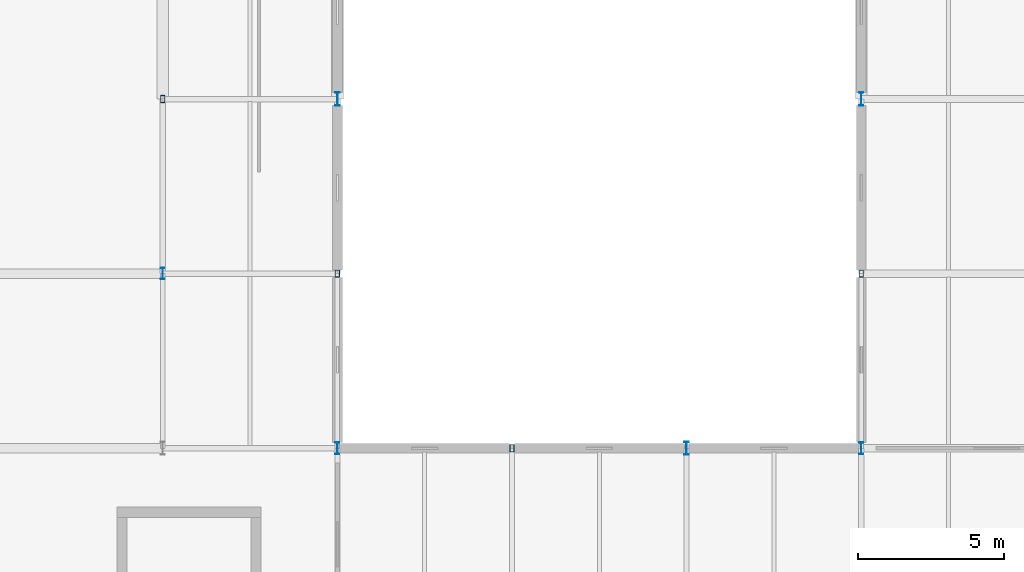
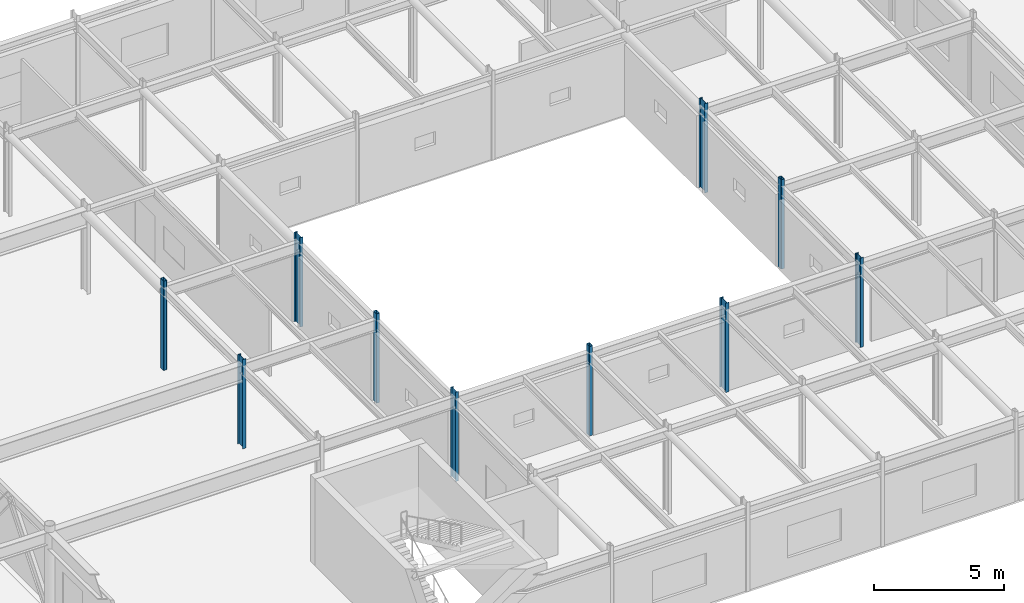
# One storey, part 18 of 116: 10 columns.
"""IFC4 building model written with IfcOpenShell, lengths in metres."""

from ifc_helpers import new_model, si_unit, direction, frame, origin, origin_2d, place, context, subcontext, project, spatial, hollow_rectangle, i_section, extrude, material, material_profile, profile_set, type_object, element, save


model = new_model("IFC4")

# Units and contexts
model_context = context("Model", 3, precision=1e-05, world=origin(), true_north=direction((0.0, 1.0)))
body_context = subcontext(model_context, "Body", "Model", "MODEL_VIEW")
ifc_project = project(units=[si_unit("LENGTHUNIT", "METRE"), si_unit("AREAUNIT", "SQUARE_METRE"), si_unit("VOLUMEUNIT", "CUBIC_METRE"), si_unit("PLANEANGLEUNIT", "RADIAN"), si_unit("MASSUNIT", "GRAM", prefix="KILO")], contexts=[model_context])

# Site, building, storey
site_placement = place(None, origin())
site = spatial("IfcSite", under=ifc_project, at=site_placement, CompositionType="ELEMENT")
building_placement = place(site_placement, origin())
building = spatial("IfcBuilding", under=site, at=building_placement, Name="Varnakota Square Police Headquarters", CompositionType="ELEMENT")
storey_placement = place(building_placement, frame((0.0, 0.0, 9.300048828125)))
storey = spatial("IfcBuildingStorey", under=building, at=storey_placement, Name="L02", CompositionType="ELEMENT", Elevation=9.300048828125)

# Columns
ifc_material = material(Name="Steel IS 2062 Grade 350", Category="steel")
ifc_material_profile_1 = material_profile(ifc_material, i_section(OverallWidth=0.139892578125, OverallDepth=0.39990234375, WebThickness=0.0087890625, FlangeThickness=0.01611328125, FilletRadius=0.013916015625, at=origin_2d()), Name="ISMB 400")
ifc_profile_set_1 = profile_set([ifc_material_profile_1], Name="Steel IS 2062 Grade 350")
column_type_1 = type_object("IfcColumnType", Name="COL-ISMB400", PredefinedType="COLUMN", material=ifc_profile_set_1)
for number, where, z_axis, x_axis, name in (
    (1, (108.0, 87.0, 0.0), (0.0, 0.0, 1.0), (1.0, 0.0, 0.0), "Column X1080-Y0870 L02"),
    (2, (114.0, 81.0, 0.0), (0.0, 0.0, 1.0), (1.0, 0.0, 0.0), "Column X1140-Y0810 L02"),
    (3, (132.0, 81.0, 0.0), (0.0, 0.0, 1.0), (1.0, 0.0, 0.0), "Column X1320-Y0810 L02"),
):
    element("IfcColumn", number, at=place(storey_placement, frame(where, z_axis=z_axis, x_axis=x_axis)), inside=storey, type_object=column_type_1, Name=name, PredefinedType="COLUMN", context=body_context, shape_type="SweptSolid", body=[
        extrude(i_section(OverallWidth=0.139892578125, OverallDepth=0.39990234375, WebThickness=0.0087890625, FlangeThickness=0.01611328125, FilletRadius=0.013916015625, at=origin_2d()), origin(), (0.0, 0.0, 1.0), 4.199951171875),
    ])
ifc_material_profile_2 = material_profile(ifc_material, i_section(OverallWidth=0.14990234375, OverallDepth=0.449951171875, WebThickness=0.009521484375, FlangeThickness=0.017333984375, FilletRadius=0.014892578125, at=origin_2d()), Name="ISMB 450")
ifc_profile_set_2 = profile_set([ifc_material_profile_2], Name="Steel IS 2062 Grade 350")
column_type_2 = type_object("IfcColumnType", Name="COL-ISMB450", PredefinedType="COLUMN", material=ifc_profile_set_2)
for number, where, z_axis, x_axis, name in (
    (4, (114.0, 93.0, 0.0), (0.0, 0.0, 1.0), (1.0, 0.0, 0.0), "Column X1140-Y0930 L02"),
    (5, (126.0, 81.0, 0.0), (0.0, 0.0, 1.0), (1.0, 0.0, 0.0), "Column X1260-Y0810 L02"),
    (6, (132.0, 93.0, 0.0), (0.0, 0.0, 1.0), (1.0, 0.0, 0.0), "Column X1320-Y0930 L02"),
):
    element("IfcColumn", number, at=place(storey_placement, frame(where, z_axis=z_axis, x_axis=x_axis)), inside=storey, type_object=column_type_2, Name=name, PredefinedType="COLUMN", context=body_context, shape_type="SweptSolid", body=[
        extrude(i_section(OverallWidth=0.14990234375, OverallDepth=0.449951171875, WebThickness=0.009521484375, FlangeThickness=0.017333984375, FilletRadius=0.014892578125, at=origin_2d()), origin(), (0.0, 0.0, 1.0), 4.199951171875),
    ])
ifc_material_profile_3 = material_profile(ifc_material, hollow_rectangle(XDim=0.14990234375, YDim=0.25, WallThickness=0.010009765625, InnerFilletRadius=0.010009765625, OuterFilletRadius=0.02001953125, at=origin_2d()), Name="RHS 250x150x10")
ifc_profile_set_3 = profile_set([ifc_material_profile_3], Name="Steel IS 2062 Grade 350")
column_type_3 = type_object("IfcColumnType", Name="COL-RHS250", PredefinedType="COLUMN", material=ifc_profile_set_3)
for number, where, z_axis, x_axis, name in (
    (7, (108.0, 93.0, 0.0), (0.0, 0.0, 1.0), (1.0, 0.0, 0.0), "Column X1080-Y0930 L02"),
    (8, (114.0, 87.0, 0.0), (0.0, 0.0, 1.0), (1.0, 0.0, 0.0), "Column X1140-Y0870 L02"),
    (9, (120.0, 81.0, 0.0), (0.0, 0.0, 1.0), (1.0, 0.0, 0.0), "Column X1200-Y0810 L02"),
    (10, (132.0, 87.0, 0.0), (0.0, 0.0, 1.0), (1.0, 0.0, 0.0), "Column X1320-Y0870 L02"),
):
    element("IfcColumn", number, at=place(storey_placement, frame(where, z_axis=z_axis, x_axis=x_axis)), inside=storey, type_object=column_type_3, Name=name, PredefinedType="COLUMN", context=body_context, shape_type="SweptSolid", body=[
        extrude(hollow_rectangle(XDim=0.14990234375, YDim=0.25, WallThickness=0.010009765625, InnerFilletRadius=0.010009765625, OuterFilletRadius=0.02001953125, at=origin_2d()), origin(), (0.0, 0.0, 1.0), 4.199951171875),
    ])

save(model, "model.ifc")
